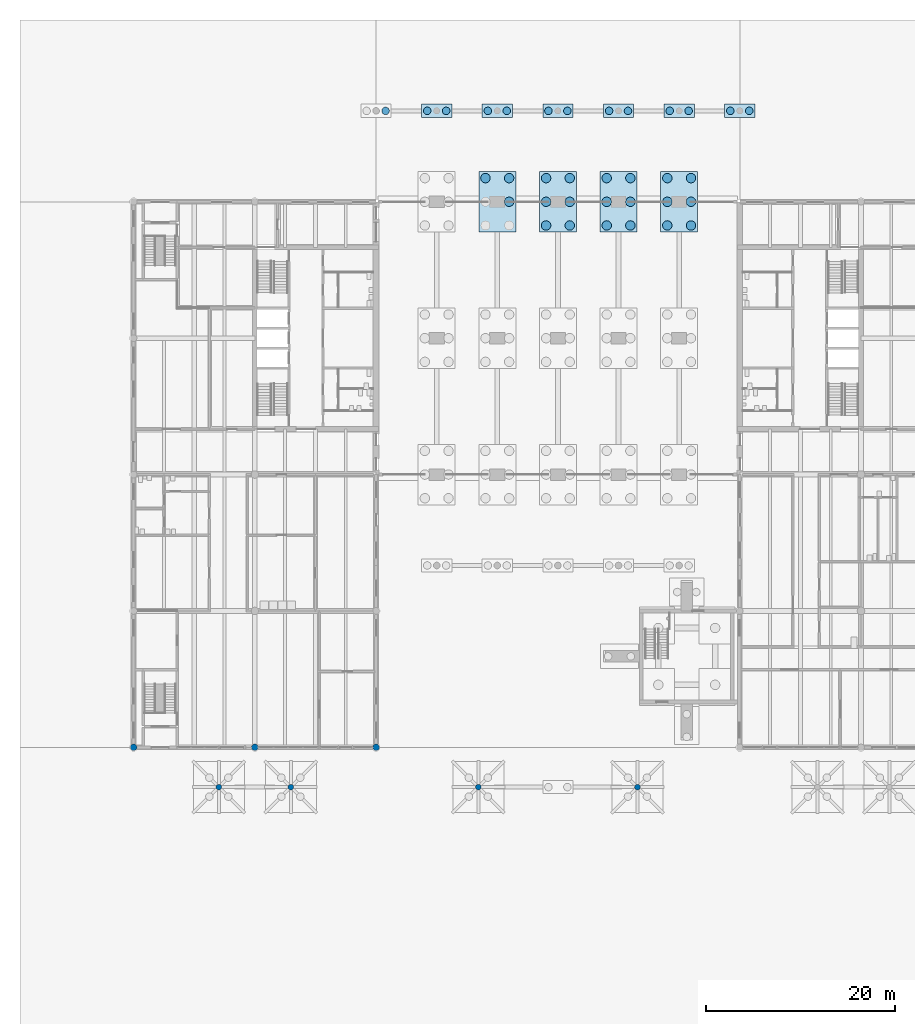
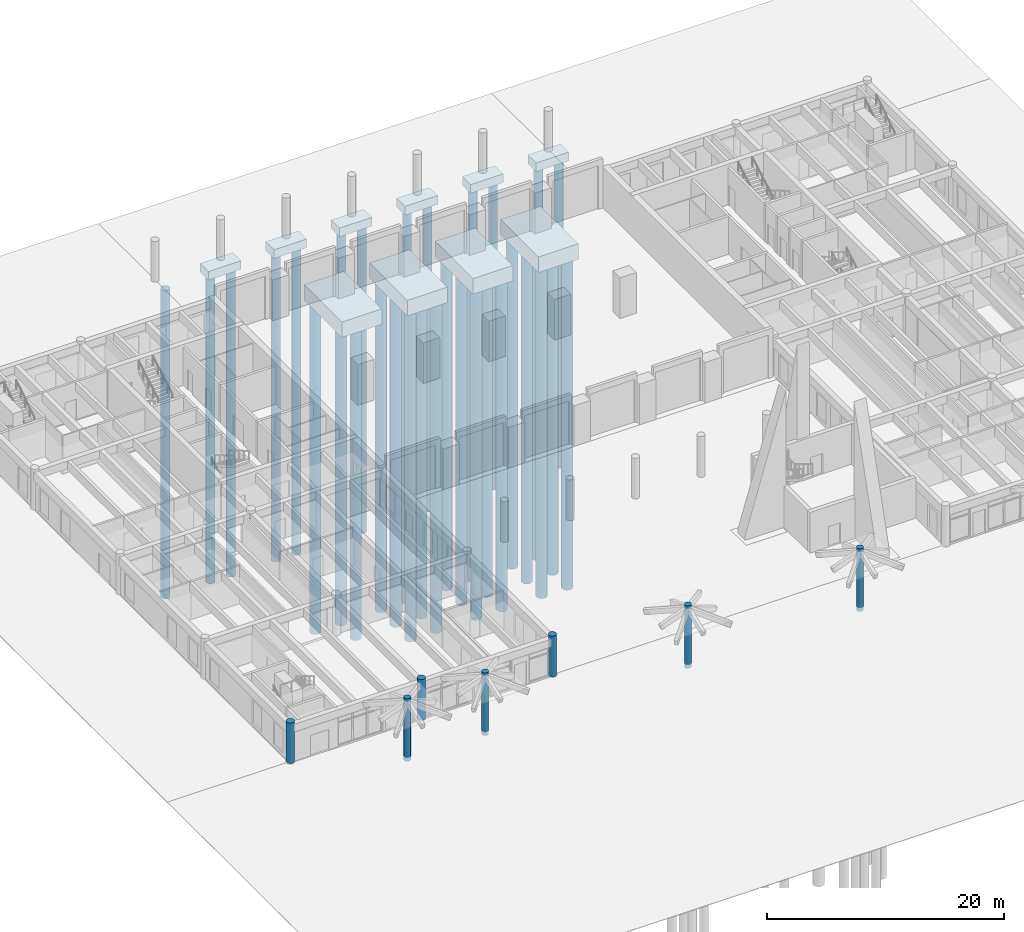
# One storey, part 2 of 28: 34 piles, 10 footings, 7 columns.
"""IFC4 building model written with IfcOpenShell, lengths in metres."""

from ifc_helpers import new_model, si_unit, direction, frame, origin, origin_2d, place, context, subcontext, project, spatial, polyline, circle, outline, extrude, material, layer, layer_set, material_profile, profile_set, type_object, element, save


model = new_model("IFC4")

# Units and contexts
model_context = context("Model", 3, precision=1e-05, world=origin(), true_north=direction((0.0, 1.0)))
body_context = subcontext(model_context, "Body", "Model", "MODEL_VIEW")
ifc_project = project(units=[si_unit("LENGTHUNIT", "METRE"), si_unit("AREAUNIT", "SQUARE_METRE"), si_unit("VOLUMEUNIT", "CUBIC_METRE"), si_unit("PLANEANGLEUNIT", "RADIAN"), si_unit("MASSUNIT", "GRAM", prefix="KILO")], contexts=[model_context])

# Site, building, storey
site_placement = place(None, origin())
site = spatial("IfcSite", under=ifc_project, at=site_placement, CompositionType="ELEMENT")
building_placement = place(site_placement, origin())
building = spatial("IfcBuilding", under=site, at=building_placement, Name="Fogon Plaza Fire Station and Headquarters Tower", CompositionType="ELEMENT")
storey_placement = place(building_placement, origin())
storey = spatial("IfcBuildingStorey", under=building, at=storey_placement, Name="L00", CompositionType="ELEMENT", Elevation=0.0)

# Piles
ifc_material_1 = material(Name="Concrete C40", Category="concrete")
ifc_material_profile_1 = material_profile(ifc_material_1, circle(Radius=0.5, at=origin_2d()), Name="RC D1000")
ifc_profile_set_1 = profile_set([ifc_material_profile_1], Name="Concrete C40")
pile_type_1 = type_object("IfcPileType", Name="PILE RC D1000", PredefinedType="BORED", material=ifc_profile_set_1)
for number, where, z_axis, x_axis, name in (
    (1, (37.14990234375, 60.10009765625, -1.89990234375), (0.0, 0.0, -1.0), (1.0, 0.0, 0.0), "pile-P5H-03"),
    (2, (39.64990234375, 57.60009765625, -1.89990234375), (0.0, 0.0, -1.0), (1.0, 0.0, 0.0), "pile-P5H-05"),
    (3, (39.64990234375, 60.10009765625, -1.89990234375), (0.0, 0.0, -1.0), (1.0, 0.0, 0.0), "pile-P5H-06"),
    (4, (43.550048828125, 55.10009765625, -1.89990234375), (0.0, 0.0, -1.0), (1.0, 0.0, 0.0), "pile-P6H-01"),
    (5, (43.550048828125, 57.60009765625, -1.89990234375), (0.0, 0.0, -1.0), (1.0, 0.0, 0.0), "pile-P6H-02"),
    (6, (43.550048828125, 60.10009765625, -1.89990234375), (0.0, 0.0, -1.0), (1.0, 0.0, 0.0), "pile-P6H-03"),
    (7, (46.050048828125, 55.10009765625, -1.89990234375), (0.0, 0.0, -1.0), (1.0, 0.0, 0.0), "pile-P6H-04"),
    (8, (46.050048828125, 57.60009765625, -1.89990234375), (0.0, 0.0, -1.0), (1.0, 0.0, 0.0), "pile-P6H-05"),
    (9, (46.050048828125, 60.10009765625, -1.89990234375), (0.0, 0.0, -1.0), (1.0, 0.0, 0.0), "pile-P6H-06"),
    (10, (49.949951171875, 55.10009765625, -1.89990234375), (0.0, 0.0, -1.0), (1.0, 0.0, 0.0), "pile-P7H-01"),
    (11, (49.949951171875, 57.60009765625, -1.89990234375), (0.0, 0.0, -1.0), (1.0, 0.0, 0.0), "pile-P7H-02"),
    (12, (49.949951171875, 60.10009765625, -1.89990234375), (0.0, 0.0, -1.0), (1.0, 0.0, 0.0), "pile-P7H-03"),
    (13, (52.449951171875, 55.10009765625, -1.89990234375), (0.0, 0.0, -1.0), (1.0, 0.0, 0.0), "pile-P7H-04"),
    (14, (52.449951171875, 57.60009765625, -1.89990234375), (0.0, 0.0, -1.0), (1.0, 0.0, 0.0), "pile-P7H-05"),
    (15, (52.449951171875, 60.10009765625, -1.89990234375), (0.0, 0.0, -1.0), (1.0, 0.0, 0.0), "pile-P7H-06"),
    (16, (56.35009765625, 55.10009765625, -1.89990234375), (0.0, 0.0, -1.0), (1.0, 0.0, 0.0), "pile-P8H-01"),
    (17, (56.35009765625, 57.60009765625, -1.89990234375), (0.0, 0.0, -1.0), (1.0, 0.0, 0.0), "pile-P8H-02"),
    (18, (56.35009765625, 60.10009765625, -1.89990234375), (0.0, 0.0, -1.0), (1.0, 0.0, 0.0), "pile-P8H-03"),
    (19, (58.85009765625, 55.10009765625, -1.89990234375), (0.0, 0.0, -1.0), (1.0, 0.0, 0.0), "pile-P8H-04"),
    (20, (58.85009765625, 57.60009765625, -1.89990234375), (0.0, 0.0, -1.0), (1.0, 0.0, 0.0), "pile-P8H-05"),
    (21, (58.85009765625, 60.10009765625, -1.89990234375), (0.0, 0.0, -1.0), (1.0, 0.0, 0.0), "pile-P8H-06"),
):
    element("IfcPile", number, at=place(storey_placement, frame(where, z_axis=z_axis, x_axis=x_axis)), inside=storey, type_object=pile_type_1, Name=name, PredefinedType="BORED", context=body_context, shape_type="SweptSolid", body=[
        extrude(circle(Radius=0.5, at=origin_2d()), origin(), (0.0, 0.0, 1.0), 34.10009765625),
    ])
ifc_material_2 = material(Name="Concrete C40", Category="concrete")
ifc_material_profile_2 = material_profile(ifc_material_2, circle(Radius=0.39990234375, at=origin_2d()), Name="RC D800")
ifc_profile_set_2 = profile_set([ifc_material_profile_2], Name="Concrete C40")
pile_type_2 = type_object("IfcPileType", Name="PILE RC D800", PredefinedType="BORED", material=ifc_profile_set_2)
for number, where, z_axis, x_axis, name in (
    (22, (26.60009765625, 67.199951171875, -1.199951171875), (0.0, 0.0, -1.0), (1.0, 0.0, 0.0), "pile-CF1-02"),
    (23, (31.0, 67.199951171875, -1.199951171875), (0.0, 0.0, -1.0), (1.0, 0.0, 0.0), "pile-CF2-01"),
    (24, (33.0, 67.199951171875, -1.199951171875), (0.0, 0.0, -1.0), (1.0, 0.0, 0.0), "pile-CF2-02"),
    (25, (37.39990234375, 67.199951171875, -1.199951171875), (0.0, 0.0, -1.0), (1.0, 0.0, 0.0), "pile-CF3-01"),
    (26, (39.39990234375, 67.199951171875, -1.199951171875), (0.0, 0.0, -1.0), (1.0, 0.0, 0.0), "pile-CF3-02"),
    (27, (43.800048828125, 67.199951171875, -1.199951171875), (0.0, 0.0, -1.0), (1.0, 0.0, 0.0), "pile-CF4-01"),
    (28, (45.800048828125, 67.199951171875, -1.199951171875), (0.0, 0.0, -1.0), (1.0, 0.0, 0.0), "pile-CF4-02"),
    (29, (50.199951171875, 67.199951171875, -1.199951171875), (0.0, 0.0, -1.0), (1.0, 0.0, 0.0), "pile-CF5-01"),
    (30, (52.199951171875, 67.199951171875, -1.199951171875), (0.0, 0.0, -1.0), (1.0, 0.0, 0.0), "pile-CF5-02"),
    (31, (56.60009765625, 67.199951171875, -1.199951171875), (0.0, 0.0, -1.0), (1.0, 0.0, 0.0), "pile-CF6-01"),
    (32, (58.60009765625, 67.199951171875, -1.199951171875), (0.0, 0.0, -1.0), (1.0, 0.0, 0.0), "pile-CF6-02"),
    (33, (63.0, 67.199951171875, -1.199951171875), (0.0, 0.0, -1.0), (1.0, 0.0, 0.0), "pile-CF7-01"),
    (34, (65.0, 67.199951171875, -1.199951171875), (0.0, 0.0, -1.0), (1.0, 0.0, 0.0), "pile-CF7-02"),
):
    element("IfcPile", number, at=place(storey_placement, frame(where, z_axis=z_axis, x_axis=x_axis)), inside=storey, type_object=pile_type_2, Name=name, PredefinedType="BORED", context=body_context, shape_type="SweptSolid", body=[
        extrude(circle(Radius=0.39990234375, at=origin_2d()), origin(), (0.0, 0.0, 1.0), 31.800048828125),
    ])

# Footings
ifc_material_3 = material(Name="Concrete C40", Category="concrete")
ifc_layer_1 = layer(ifc_material_3, 1.60009765625)
ifc_layer_set_1 = layer_set([ifc_layer_1], Name="Concrete C40")
footing_type_1 = type_object("IfcFootingType", Name="Pile cap 1600 PC16", PredefinedType="PILE_CAP", material=ifc_layer_set_1)
footing_1_placement = place(storey_placement, frame((0.0, 0.0, -2.0)))
element("IfcFooting", 35, at=footing_1_placement, inside=storey, type_object=footing_type_1, Name="cap-P5H", PredefinedType="PILE_CAP", context=body_context, shape_type="SweptSolid", body=[
    extrude(outline(polyline([(40.35009765625, 54.39990234375), (40.35009765625, 60.800048828125), (36.449951171875, 60.800048828125), (36.449951171875, 54.39990234375), (40.35009765625, 54.39990234375)])), origin(), (0.0, 0.0, 1.0), 1.60009765625),
])
footing_2_placement = place(storey_placement, frame((0.0, 0.0, -2.0)))
element("IfcFooting", 36, at=footing_2_placement, inside=storey, type_object=footing_type_1, Name="cap-P6H", PredefinedType="PILE_CAP", context=body_context, shape_type="SweptSolid", body=[
    extrude(outline(polyline([(46.75, 54.39990234375), (46.75, 60.800048828125), (42.85009765625, 60.800048828125), (42.85009765625, 54.39990234375), (46.75, 54.39990234375)])), origin(), (0.0, 0.0, 1.0), 1.60009765625),
])
footing_3_placement = place(storey_placement, frame((0.0, 0.0, -2.0)))
element("IfcFooting", 37, at=footing_3_placement, inside=storey, type_object=footing_type_1, Name="cap-P7H", PredefinedType="PILE_CAP", context=body_context, shape_type="SweptSolid", body=[
    extrude(outline(polyline([(53.14990234375, 54.39990234375), (53.14990234375, 60.800048828125), (49.25, 60.800048828125), (49.25, 54.39990234375), (53.14990234375, 54.39990234375)])), origin(), (0.0, 0.0, 1.0), 1.60009765625),
])
footing_4_placement = place(storey_placement, frame((0.0, 0.0, -2.0)))
element("IfcFooting", 38, at=footing_4_placement, inside=storey, type_object=footing_type_1, Name="cap-P8H", PredefinedType="PILE_CAP", context=body_context, shape_type="SweptSolid", body=[
    extrude(outline(polyline([(59.550048828125, 54.39990234375), (59.550048828125, 60.800048828125), (55.64990234375, 60.800048828125), (55.64990234375, 54.39990234375), (59.550048828125, 54.39990234375)])), origin(), (0.0, 0.0, 1.0), 1.60009765625),
])
ifc_material_4 = material(Name="Concrete C40", Category="concrete")
ifc_layer_2 = layer(ifc_material_4, 0.89990234375)
ifc_layer_set_2 = layer_set([ifc_layer_2], Name="Concrete C40")
footing_type_2 = type_object("IfcFootingType", Name="Pile cap 900 PC09", PredefinedType="PILE_CAP", material=ifc_layer_set_2)
footing_5_placement = place(storey_placement, frame((0.0, 0.0, -1.300048828125)))
element("IfcFooting", 39, at=footing_5_placement, inside=storey, type_object=footing_type_2, Name="cap-CF2", PredefinedType="PILE_CAP", context=body_context, shape_type="SweptSolid", body=[
    extrude(outline(polyline([(33.60009765625, 66.5), (33.60009765625, 67.89990234375), (30.39990234375, 67.89990234375), (30.39990234375, 66.5), (33.60009765625, 66.5)])), origin(), (0.0, 0.0, 1.0), 0.900146484375),
])
footing_6_placement = place(storey_placement, frame((0.0, 0.0, -1.300048828125)))
element("IfcFooting", 40, at=footing_6_placement, inside=storey, type_object=footing_type_2, Name="cap-CF3", PredefinedType="PILE_CAP", context=body_context, shape_type="SweptSolid", body=[
    extrude(outline(polyline([(40.0, 66.5), (40.0, 67.89990234375), (36.800048828125, 67.89990234375), (36.800048828125, 66.5), (40.0, 66.5)])), origin(), (0.0, 0.0, 1.0), 0.900146484375),
])
footing_7_placement = place(storey_placement, frame((0.0, 0.0, -1.300048828125)))
element("IfcFooting", 41, at=footing_7_placement, inside=storey, type_object=footing_type_2, Name="cap-CF4", PredefinedType="PILE_CAP", context=body_context, shape_type="SweptSolid", body=[
    extrude(outline(polyline([(46.39990234375, 66.5), (46.39990234375, 67.89990234375), (43.199951171875, 67.89990234375), (43.199951171875, 66.5), (46.39990234375, 66.5)])), origin(), (0.0, 0.0, 1.0), 0.900146484375),
])
footing_8_placement = place(storey_placement, frame((0.0, 0.0, -1.300048828125)))
element("IfcFooting", 42, at=footing_8_placement, inside=storey, type_object=footing_type_2, Name="cap-CF5", PredefinedType="PILE_CAP", context=body_context, shape_type="SweptSolid", body=[
    extrude(outline(polyline([(52.800048828125, 66.5), (52.800048828125, 67.89990234375), (49.60009765625, 67.89990234375), (49.60009765625, 66.5), (52.800048828125, 66.5)])), origin(), (0.0, 0.0, 1.0), 0.900146484375),
])
footing_9_placement = place(storey_placement, frame((0.0, 0.0, -1.300048828125)))
element("IfcFooting", 43, at=footing_9_placement, inside=storey, type_object=footing_type_2, Name="cap-CF6", PredefinedType="PILE_CAP", context=body_context, shape_type="SweptSolid", body=[
    extrude(outline(polyline([(59.199951171875, 66.5), (59.199951171875, 67.89990234375), (56.0, 67.89990234375), (56.0, 66.5), (59.199951171875, 66.5)])), origin(), (0.0, 0.0, 1.0), 0.900146484375),
])
footing_10_placement = place(storey_placement, frame((0.0, 0.0, -1.300048828125)))
element("IfcFooting", 44, at=footing_10_placement, inside=storey, type_object=footing_type_2, Name="cap-CF7", PredefinedType="PILE_CAP", context=body_context, shape_type="SweptSolid", body=[
    extrude(outline(polyline([(65.60009765625, 66.5), (65.60009765625, 67.89990234375), (62.39990234375, 67.89990234375), (62.39990234375, 66.5), (65.60009765625, 66.5)])), origin(), (0.0, 0.0, 1.0), 0.900146484375),
])

# Columns
ifc_material_5 = material(Name="Concrete C40", Category="concrete")
ifc_material_profile_3 = material_profile(ifc_material_5, circle(Radius=0.300048828125, at=origin_2d()), Name="RC D600")
ifc_profile_set_3 = profile_set([ifc_material_profile_3], Name="Concrete C40")
column_type_1 = type_object("IfcColumnType", Name="COLUMN RC D600", PredefinedType="COLUMN", material=ifc_profile_set_3)
for number, where, z_axis, x_axis, name in (
    (45, (9.0, -4.199951171875, -0.39990234375), (0.0, 0.0, 1.0), (1.0, 0.0, 0.0), "col-L00-U1"),
    (46, (16.60009765625, -4.199951171875, -0.39990234375), (0.0, 0.0, 1.0), (1.0, 0.0, 0.0), "col-L00-U2"),
    (47, (36.39990234375, -4.199951171875, -0.39990234375), (0.0, 0.0, 1.0), (1.0, 0.0, 0.0), "col-L00-U3"),
    (48, (53.199951171875, -4.199951171875, -0.39990234375), (0.0, 0.0, 1.0), (1.0, 0.0, 0.0), "col-L00-U4"),
):
    element("IfcColumn", number, at=place(storey_placement, frame(where, z_axis=z_axis, x_axis=x_axis)), inside=storey, type_object=column_type_1, Name=name, PredefinedType="COLUMN", context=body_context, shape_type="SweptSolid", body=[
        extrude(circle(Radius=0.300048828125, at=origin_2d()), origin(), (0.0, 0.0, 1.0), 6.469970703125),
    ])
ifc_material_6 = material(Name="Concrete C40", Category="concrete")
ifc_material_profile_4 = material_profile(ifc_material_6, circle(Radius=0.35009765625, at=origin_2d()), Name="RC D700")
ifc_profile_set_4 = profile_set([ifc_material_profile_4], Name="Concrete C40")
column_type_2 = type_object("IfcColumnType", Name="COLUMN RC D700", PredefinedType="COLUMN", material=ifc_profile_set_4)
for number, where, z_axis, x_axis, name in (
    (49, (0.0, 0.0, 0.0), (0.0, 0.0, 1.0), (1.0, 0.0, 0.0), "col-L00-1A"),
    (50, (12.800048828125, 0.0, 0.0), (0.0, 0.0, 1.0), (1.0, 0.0, 0.0), "col-L00-2A"),
    (51, (25.60009765625, 0.0, 0.0), (0.0, 0.0, 1.0), (1.0, 0.0, 0.0), "col-L00-3A"),
):
    element("IfcColumn", number, at=place(storey_placement, frame(where, z_axis=z_axis, x_axis=x_axis)), inside=storey, type_object=column_type_2, Name=name, PredefinedType="COLUMN", context=body_context, shape_type="SweptSolid", body=[
        extrude(circle(Radius=0.35009765625, at=origin_2d()), origin(), (0.0, 0.0, 1.0), 4.199951171875),
    ])

save(model, "model.ifc")
